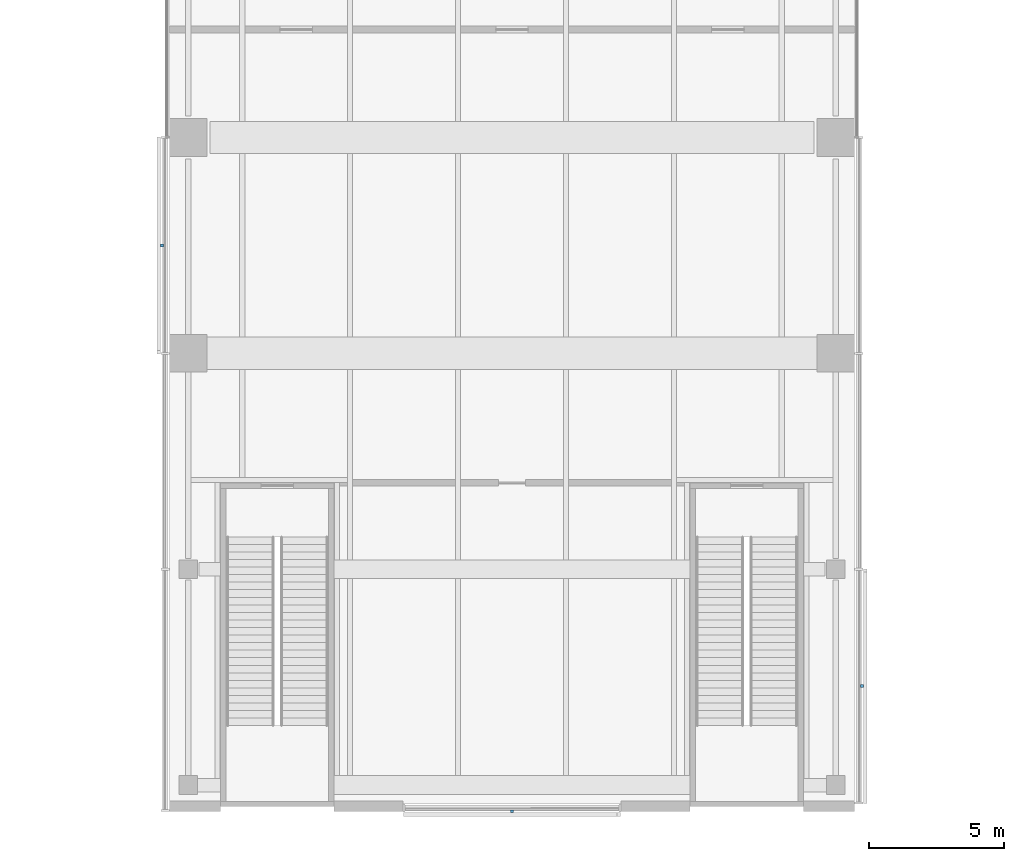
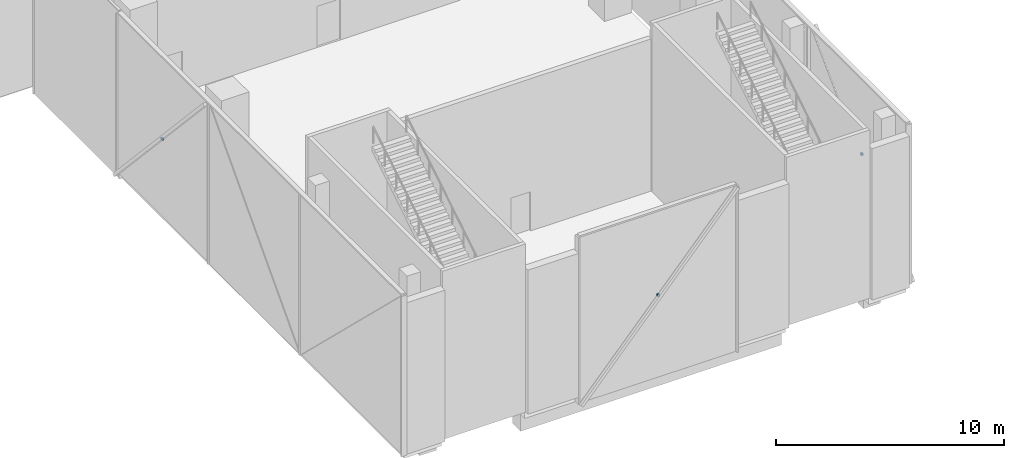
# One storey, part 21 of 26: 3 discrete accessories.
"""IFC4 building model written with IfcOpenShell, lengths in metres."""

from ifc_helpers import new_model, si_unit, direction, frame, origin, origin_2d, place, context, subcontext, project, spatial, rectangle, extrude, material, type_object, element, save


model = new_model("IFC4")

# Units and contexts
model_context = context("Model", 3, precision=1e-05, world=origin(), true_north=direction((0.0, 1.0)))
body_context = subcontext(model_context, "Body", "Model", "MODEL_VIEW")
ifc_project = project(units=[si_unit("LENGTHUNIT", "METRE"), si_unit("AREAUNIT", "SQUARE_METRE"), si_unit("VOLUMEUNIT", "CUBIC_METRE"), si_unit("PLANEANGLEUNIT", "RADIAN"), si_unit("MASSUNIT", "GRAM", prefix="KILO")], contexts=[model_context])

# Site, building, storey
site_placement = place(None, origin())
site = spatial("IfcSite", under=ifc_project, at=site_placement, CompositionType="ELEMENT")
building_placement = place(site_placement, origin())
building = spatial("IfcBuilding", under=site, at=building_placement, Name="Crosswind Convention Tower", CompositionType="ELEMENT")
storey_placement = place(building_placement, frame((0.0, 0.0, 25.0)))
storey = spatial("IfcBuildingStorey", under=building, at=storey_placement, Name="L03", CompositionType="ELEMENT", Elevation=25.0)

# Discrete accessories
ifc_material = material(Name="Stainless steel", Category="steel")
discrete_accessory_type = type_object("IfcDiscreteAccessoryType", Name="BAGUETTE BRACKET BK1", PredefinedType="BRACKET", material=ifc_material)
for number, where, z_axis, x_axis, name in (
    (1, (112.02587890625, 76.0, 4.177490234375), (0.0, 0.0, 1.0), (0.0, -1.0, 0.0), "BK1 baguette bracket"),
    (2, (125.0, 55.02587890625, 4.0), (0.0, 0.0, 1.0), (1.0, 0.0, 0.0), "BK1 baguette bracket"),
    (3, (137.97412109375, 59.669921875, 4.177490234375), (0.0, 0.0, 1.0), (0.0, 1.0, 0.0), "BK1 baguette bracket"),
):
    element("IfcDiscreteAccessory", number, at=place(storey_placement, frame(where, z_axis=z_axis, x_axis=x_axis)), inside=storey, type_object=discrete_accessory_type, Name=name, PredefinedType="BRACKET", context=body_context, shape_type="SweptSolid", body=[
        extrude(rectangle(XDim=0.1201171875, YDim=0.10009765625, at=origin_2d()), origin(), (0.0, 0.0, 1.0), 0.1201171875),
    ])

save(model, "model.ifc")
